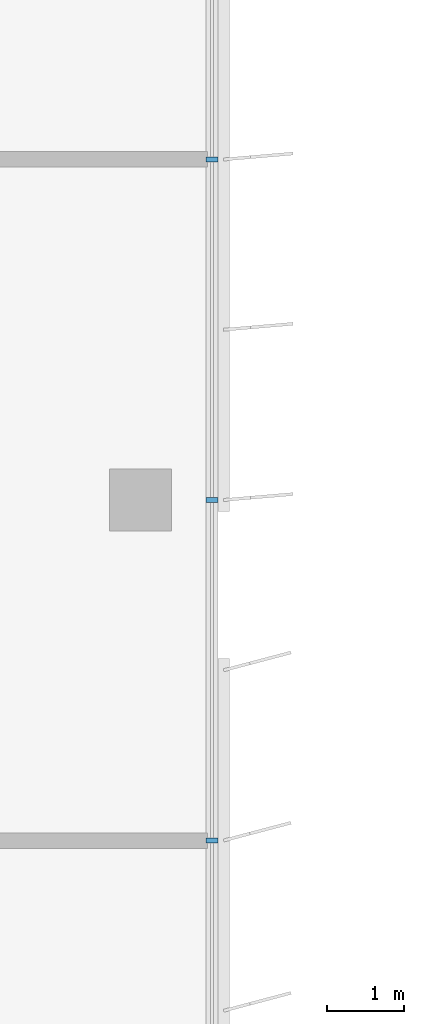
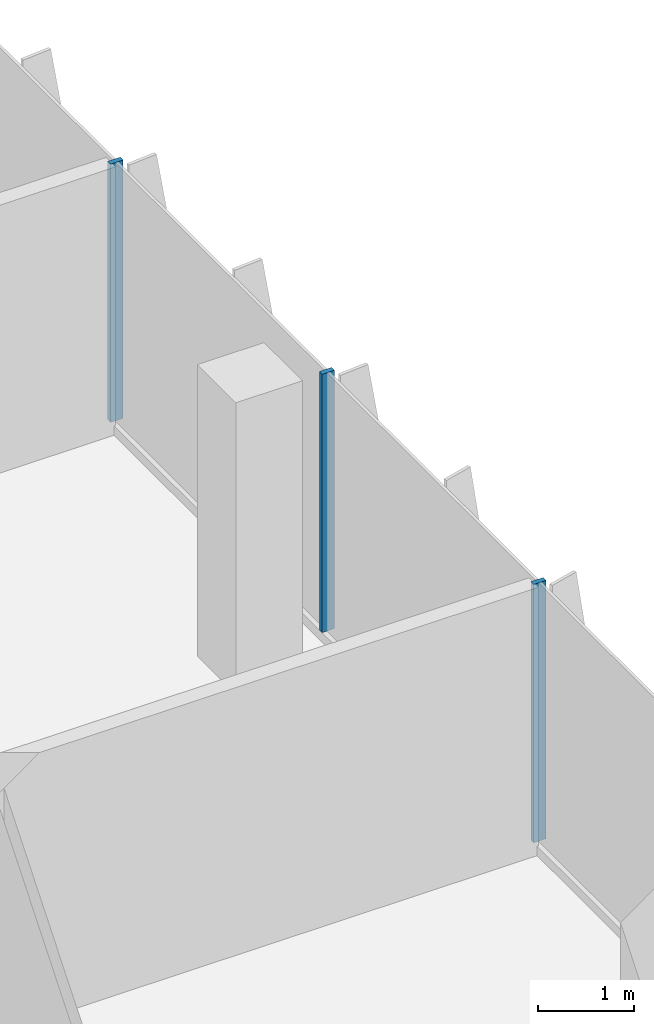
# One storey, part 4 of 15: 3 members, 1 element without a shape of its own.
"""IFC4 building model written with IfcOpenShell, lengths in metres."""

from ifc_helpers import new_model, si_unit, direction, frame, origin, origin_2d, place, context, subcontext, project, spatial, rectangle, extrude, source, transform, mapped, material, material_profile, profile_set, type_object, element, aggregate, save


model = new_model("IFC4")

# Units and contexts
model_context = context("Model", 3, precision=1e-05, world=origin(), true_north=direction((0.0, 1.0)))
body_context = subcontext(model_context, "Body", "Model", "MODEL_VIEW")
ifc_project = project(units=[si_unit("LENGTHUNIT", "METRE"), si_unit("AREAUNIT", "SQUARE_METRE"), si_unit("VOLUMEUNIT", "CUBIC_METRE"), si_unit("PLANEANGLEUNIT", "RADIAN"), si_unit("MASSUNIT", "GRAM", prefix="KILO")], contexts=[model_context])

# Site, building, storey
site_placement = place(None, origin())
site = spatial("IfcSite", under=ifc_project, at=site_placement, CompositionType="ELEMENT")
building_placement = place(site_placement, origin())
building = spatial("IfcBuilding", under=site, at=building_placement, Name="Kemantara Hotel Tower", CompositionType="ELEMENT")
storey_placement = place(building_placement, frame((0.0, 0.0, 275.89990234375)))
storey = spatial("IfcBuildingStorey", under=building, at=storey_placement, Name="L69", CompositionType="ELEMENT", Elevation=275.89990234375)

# Curtain wall, members
ifc_material_1 = material(Name="Low-E tinted double insulated glass 36 mm", Category="glass")
curtain_wall_type = type_object("IfcCurtainWallType", Name="TOWER CURTAIN WALL, FRONT FACES", PredefinedType="USERDEFINED", material=ifc_material_1)
curtain_wall_placement = place(storey_placement, origin())
curtain_wall = element("IfcCurtainWall", 1, at=curtain_wall_placement, inside=storey, type_object=curtain_wall_type, Name="CW4 L69 T4-R15-1", ObjectType="TOWER CURTAIN WALL, FRONT FACES", PredefinedType="USERDEFINED")
ifc_material_2 = material(Name="Aluminium 6063-T6 bronze anodised", Category="aluminium")
ifc_material_profile = material_profile(ifc_material_2, rectangle(XDim=0.14990234375, YDim=0.06005859375, at=origin_2d()), Name="TOWER CURTAIN WALL, FRONT FACES MULLION")
ifc_profile_set = profile_set([ifc_material_profile], Name="Aluminium 6063-T6 bronze anodised")
member_type = type_object("IfcMemberType", Name="TOWER CURTAIN WALL, FRONT FACES MULLION", PredefinedType="MULLION", material=ifc_profile_set)
shared_shape = source(origin(), body_context, "Body", "SweptSolid", [
    extrude(rectangle(XDim=0.14990234375, YDim=0.06005859375, at=origin_2d()), origin(), (0.0, 0.0, 1.0), 3.280029296875),
])
member_1_placement = place(storey_placement, frame((21.925048828125, 31.800048828125, 0.1201171875), z_axis=(0.0, 0.0, 1.0), x_axis=(-1.0, 0.0, 0.0)))
member_1 = element("IfcMember", 2, at=member_1_placement, type_object=member_type, Name="CW4 mullion T4-R15-1.3", PredefinedType="MULLION", context=body_context, shape_type="MappedRepresentation", body=[
    mapped(shared_shape, transform((0.0, 0.0, 0.0))),
])
member_2_placement = place(storey_placement, frame((21.925048828125, 36.199951171875, 0.1201171875), z_axis=(0.0, 0.0, 1.0), x_axis=(-1.0, 0.0, 0.0)))
member_2 = element("IfcMember", 3, at=member_2_placement, type_object=member_type, Name="CW4 mullion T4-R15-1.4", PredefinedType="MULLION", context=body_context, shape_type="MappedRepresentation", body=[
    mapped(shared_shape, transform((0.0, 0.0, 0.0))),
])
member_3_placement = place(storey_placement, frame((21.925048828125, 40.60009765625, 0.1201171875), z_axis=(0.0, 0.0, 1.0), x_axis=(-1.0, 0.0, 0.0)))
member_3 = element("IfcMember", 4, at=member_3_placement, type_object=member_type, Name="CW4 mullion T4-R15-1.5", PredefinedType="MULLION", context=body_context, shape_type="MappedRepresentation", body=[
    mapped(shared_shape, transform((0.0, 0.0, 0.0))),
])
aggregate(curtain_wall, [member_1, member_2, member_3])

save(model, "model.ifc")
